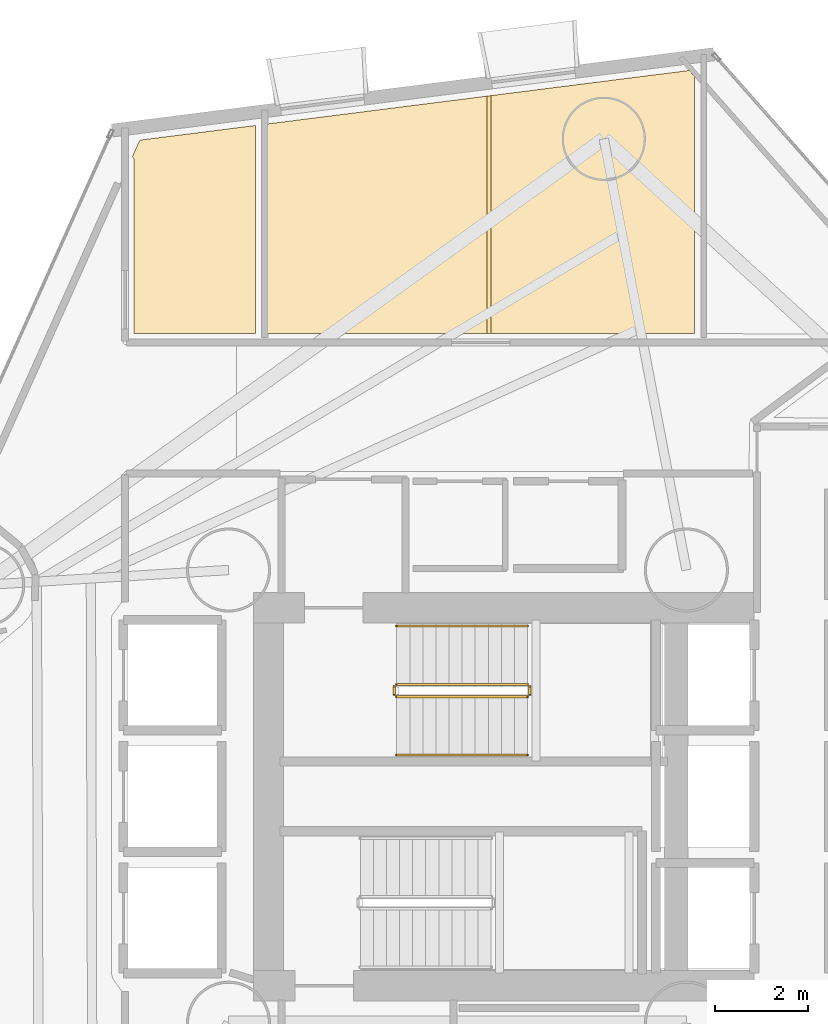
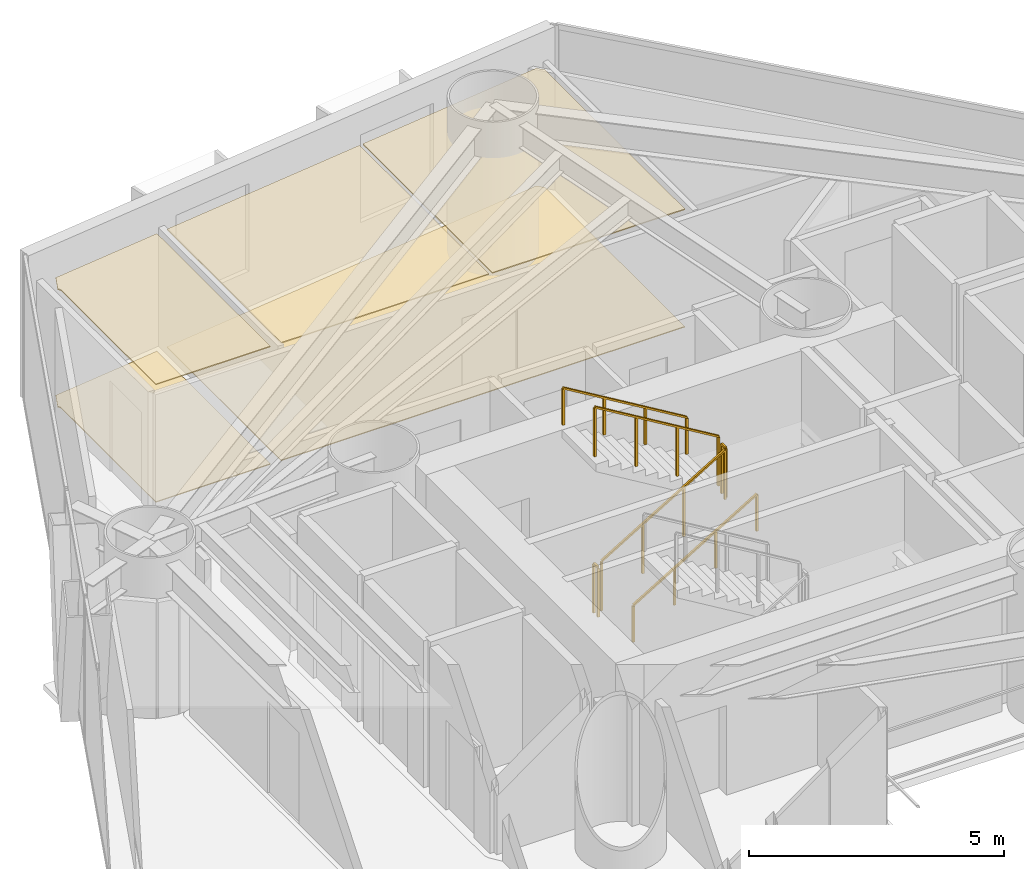
# One storey, part 21 of 22: 6 railings, 5 coverings.
"""IFC4 building model written with IfcOpenShell, lengths in metres."""

from ifc_helpers import new_model, si_unit, direction, frame, origin, origin_2d, place, context, subcontext, project, spatial, polyline, rectangle, outline, extrude, material, layer, layer_set, type_object, element, save


model = new_model("IFC4")

# Units and contexts
model_context = context("Model", 3, precision=1e-05, world=origin(), true_north=direction((0.0, 1.0)))
body_context = subcontext(model_context, "Body", "Model", "MODEL_VIEW")
ifc_project = project(units=[si_unit("LENGTHUNIT", "METRE"), si_unit("AREAUNIT", "SQUARE_METRE"), si_unit("VOLUMEUNIT", "CUBIC_METRE"), si_unit("PLANEANGLEUNIT", "RADIAN"), si_unit("MASSUNIT", "GRAM", prefix="KILO")], contexts=[model_context])

# Site, building, storey
site_placement = place(None, origin())
site = spatial("IfcSite", under=ifc_project, at=site_placement, CompositionType="ELEMENT")
building_placement = place(site_placement, origin())
building = spatial("IfcBuilding", under=site, at=building_placement, Name="Qianvela Tower", CompositionType="ELEMENT")
storey_placement = place(building_placement, frame((0.0, 0.0, 40.5)))
storey = spatial("IfcBuildingStorey", under=building, at=storey_placement, Name="L09", CompositionType="ELEMENT", Elevation=40.5)

# Coverings
ifc_material_1 = material(Name="Perforated Mineral Acoustic Ceiling Tile")
ifc_layer_1 = layer(ifc_material_1, 0.02490234375)
ifc_layer_set_1 = layer_set([ifc_layer_1], Name="Perforated Mineral Acoustic Ceiling Tile")
covering_type_1 = type_object("IfcCoveringType", Name="COV-CEIL-ACOUSTIC-25", PredefinedType="CEILING", material=ifc_layer_set_1)
covering_1_placement = place(storey_placement, frame((0.0, 0.0, 2.81494140625)))
element("IfcCovering", 1, at=covering_1_placement, inside=storey, type_object=covering_type_1, Name="L09 Acoustic Ceiling Bay 1 Student Bookshop Market L09-04", PredefinedType="CEILING", context=body_context, shape_type="SweptSolid", body=[
    extrude(outline(polyline([(34.134033203125, 43.692626953125), (34.134033203125, 38.610107421875), (29.422119140625, 38.610107421875), (29.422119140625, 43.09521484375), (34.134033203125, 43.692626953125)])), origin(), (0.0, 0.0, 1.0), 0.025146484375),
])
covering_2_placement = place(storey_placement, frame((0.0, 0.0, 2.81494140625)))
element("IfcCovering", 2, at=covering_2_placement, inside=storey, type_object=covering_type_1, Name="L09 Acoustic Ceiling Bay 2 Student Bookshop Market L09-04", PredefinedType="CEILING", context=body_context, shape_type="SweptSolid", body=[
    extrude(outline(polyline([(38.461181640625, 44.2412109375), (38.577880859375, 44.109375), (38.577880859375, 38.610107421875), (34.214111328125, 38.610107421875), (34.214111328125, 43.702880859375), (38.461181640625, 44.2412109375)])), origin(), (0.0, 0.0, 1.0), 0.025146484375),
])
covering_3_placement = place(storey_placement, frame((0.0, 0.0, 2.81494140625)))
element("IfcCovering", 3, at=covering_3_placement, inside=storey, type_object=covering_type_1, Name="L09 Acoustic Ceiling Stationery Supply Boutique L09-05", PredefinedType="CEILING", context=body_context, shape_type="SweptSolid", body=[
    extrude(outline(polyline([(26.580078125, 42.319580078125), (26.57958984375, 42.3271484375), (26.57861328125, 42.334716796875), (26.57666015625, 42.342041015625), (26.57421875, 42.349365234375), (26.571044921875, 42.356201171875), (26.567138671875, 42.363037109375), (26.54345703125, 42.3994140625), (26.700927734375, 42.75), (29.177978515625, 43.064208984375), (29.177978515625, 38.610107421875), (26.580078125, 38.610107421875), (26.580078125, 42.319580078125)])), origin(), (0.0, 0.0, 1.0), 0.025146484375),
])
ifc_material_2 = material(Name="Engineered Acoustic Oak Timber Flooring", Category="wood")
ifc_layer_2 = layer(ifc_material_2, 0.02001953125)
ifc_layer_set_2 = layer_set([ifc_layer_2], Name="Engineered Acoustic Oak Timber Flooring")
covering_type_2 = type_object("IfcCoveringType", Name="COV-FLOOR-OAK-20", PredefinedType="FLOORING", material=ifc_layer_set_2)
covering_4_placement = place(storey_placement, origin())
element("IfcCovering", 4, at=covering_4_placement, inside=storey, type_object=covering_type_2, Name="L09 Finish Flooring Student Bookshop Market L09-04", PredefinedType="FLOORING", context=body_context, shape_type="SweptSolid", body=[
    extrude(outline(polyline([(29.422119140625, 43.09521484375), (38.461181640625, 44.2412109375), (38.577880859375, 44.109375), (38.577880859375, 38.610107421875), (29.422119140625, 38.610107421875), (29.422119140625, 43.09521484375)])), origin(), (0.0, 0.0, 1.0), 0.02001953125),
])
covering_5_placement = place(storey_placement, origin())
element("IfcCovering", 5, at=covering_5_placement, inside=storey, type_object=covering_type_2, Name="L09 Finish Flooring Stationery Supply Boutique L09-05", PredefinedType="FLOORING", context=body_context, shape_type="SweptSolid", body=[
    extrude(outline(polyline([(26.580078125, 42.319580078125), (26.57958984375, 42.3271484375), (26.57861328125, 42.334716796875), (26.57666015625, 42.342041015625), (26.57421875, 42.349365234375), (26.571044921875, 42.356201171875), (26.567138671875, 42.363037109375), (26.54345703125, 42.3994140625), (26.700927734375, 42.75), (29.177978515625, 43.064208984375), (29.177978515625, 38.610107421875), (26.580078125, 38.610107421875), (26.580078125, 42.319580078125)])), origin(), (0.0, 0.0, 1.0), 0.02001953125),
])

# Railings
ifc_material_3 = material(Name="Painted Tubular Steel Q355B", Category="steel")
railing_type_1 = type_object("IfcRailingType", Name="RL-STAIR-GUARD-1200", PredefinedType="GUARDRAIL", material=ifc_material_3)
railing_1_placement = place(storey_placement, frame((32.199951171875, 30.840087890625, 0.168212890625)))
element("IfcRailing", 6, at=railing_1_placement, inside=storey, type_object=railing_type_1, Name="L09 ST-1 stair guard 1", PredefinedType="GUARDRAIL", context=body_context, shape_type="SweptSolid", body=[
    extrude(rectangle(XDim=0.050048828125, YDim=0.0400390625, at=origin_2d()), frame((0.0, 0.0, 1.179931640625), z_axis=(0.857242210791, 0.0, 0.514913383045), x_axis=(0.0, 1.0, 0.0)), (0.0, 0.0, 1.0), 3.266357421875),
    extrude(rectangle(XDim=0.050048828125, YDim=0.050048828125, at=origin_2d()), origin(), (0.0, 0.0, 1.0), 1.159912109375),
    extrude(rectangle(XDim=0.050048828125, YDim=0.050048828125, at=origin_2d()), frame((0.933349609375, 0.0, 0.560546875)), (0.0, 0.0, 1.0), 1.159912109375),
    extrude(rectangle(XDim=0.050048828125, YDim=0.050048828125, at=origin_2d()), frame((1.86669921875, 0.0, 1.121337890625)), (0.0, 0.0, 1.0), 1.159912109375),
    extrude(rectangle(XDim=0.050048828125, YDim=0.050048828125, at=origin_2d()), frame((2.800048828125, 0.0, 1.681884765625)), (0.0, 0.0, 1.0), 1.159912109375),
])
railing_2_placement = place(storey_placement, frame((35.050048828125, 30.889892578125, 1.85009765625)))
element("IfcRailing", 7, at=railing_2_placement, inside=storey, type_object=railing_type_1, Name="L09 ST-1 stair guard 2", PredefinedType="GUARDRAIL", context=body_context, shape_type="SweptSolid", body=[
    extrude(rectangle(XDim=0.050048828125, YDim=0.0400390625, at=origin_2d()), frame((0.0, 0.0, 1.179931640625), z_axis=(0.0, 1.0, 0.0), x_axis=(-1.0, 0.0, 0.0)), (0.0, 0.0, 1.0), 0.16015625),
    extrude(rectangle(XDim=0.050048828125, YDim=0.050048828125, at=origin_2d()), origin(), (0.0, 0.0, 1.0), 1.159912109375),
    extrude(rectangle(XDim=0.050048828125, YDim=0.050048828125, at=origin_2d()), frame((0.0, 0.16015625, 0.0)), (0.0, 0.0, 1.0), 1.159912109375),
])
railing_3_placement = place(storey_placement, frame((35.0, 31.10009765625, 2.01806640625)))
element("IfcRailing", 8, at=railing_3_placement, inside=storey, type_object=railing_type_1, Name="L09 ST-1 stair guard 3", PredefinedType="GUARDRAIL", context=body_context, shape_type="SweptSolid", body=[
    extrude(rectangle(XDim=0.050048828125, YDim=0.0400390625, at=origin_2d()), frame((0.0, 0.0, 1.179931640625), z_axis=(-0.857242210791, 0.0, 0.514913383045), x_axis=(0.0, -1.0, 0.0)), (0.0, 0.0, 1.0), 3.266357421875),
    extrude(rectangle(XDim=0.050048828125, YDim=0.050048828125, at=origin_2d()), origin(), (0.0, 0.0, 1.0), 1.159912109375),
    extrude(rectangle(XDim=0.050048828125, YDim=0.050048828125, at=origin_2d()), frame((-0.933349609375, 0.0, 0.560546875)), (0.0, 0.0, 1.0), 1.159912109375),
    extrude(rectangle(XDim=0.050048828125, YDim=0.050048828125, at=origin_2d()), frame((-1.86669921875, 0.0, 1.121337890625)), (0.0, 0.0, 1.0), 1.159912109375),
    extrude(rectangle(XDim=0.050048828125, YDim=0.050048828125, at=origin_2d()), frame((-2.800048828125, 0.0, 1.681884765625)), (0.0, 0.0, 1.0), 1.159912109375),
])
railing_4_placement = place(storey_placement, frame((32.14990234375, 30.889892578125, 0.0)))
element("IfcRailing", 9, at=railing_4_placement, inside=storey, type_object=railing_type_1, Name="L09 ST-1 stair guard 4", PredefinedType="GUARDRAIL", context=body_context, shape_type="SweptSolid", body=[
    extrude(rectangle(XDim=0.050048828125, YDim=0.0400390625, at=origin_2d()), frame((0.0, 0.0, 1.179931640625), z_axis=(0.0, 1.0, 0.0), x_axis=(-1.0, 0.0, 0.0)), (0.0, 0.0, 1.0), 0.16015625),
    extrude(rectangle(XDim=0.050048828125, YDim=0.050048828125, at=origin_2d()), origin(), (0.0, 0.0, 1.0), 1.159912109375),
    extrude(rectangle(XDim=0.050048828125, YDim=0.050048828125, at=origin_2d()), frame((0.0, 0.16015625, 0.0)), (0.0, 0.0, 1.0), 1.159912109375),
])
ifc_material_4 = material(Name="Brushed Stainless Steel 304", Category="steel")
railing_type_2 = type_object("IfcRailingType", Name="RL-STAIR-HANDRAIL-900", PredefinedType="HANDRAIL", material=ifc_material_4)
railing_5_placement = place(storey_placement, frame((32.199951171875, 29.590087890625, 0.168212890625)))
element("IfcRailing", 10, at=railing_5_placement, inside=storey, type_object=railing_type_2, Name="L09 ST-1 stair handrail 1", PredefinedType="HANDRAIL", context=body_context, shape_type="SweptSolid", body=[
    extrude(rectangle(XDim=0.050048828125, YDim=0.0400390625, at=origin_2d()), frame((0.0, 0.0, 0.8798828125), z_axis=(0.857242210791, 0.0, 0.514913383045), x_axis=(0.0, 1.0, 0.0)), (0.0, 0.0, 1.0), 3.266357421875),
    extrude(rectangle(XDim=0.050048828125, YDim=0.050048828125, at=origin_2d()), origin(), (0.0, 0.0, 1.0), 0.85986328125),
    extrude(rectangle(XDim=0.050048828125, YDim=0.050048828125, at=origin_2d()), frame((0.933349609375, 0.0, 0.560546875)), (0.0, 0.0, 1.0), 0.85986328125),
    extrude(rectangle(XDim=0.050048828125, YDim=0.050048828125, at=origin_2d()), frame((1.86669921875, 0.0, 1.121337890625)), (0.0, 0.0, 1.0), 0.85986328125),
    extrude(rectangle(XDim=0.050048828125, YDim=0.050048828125, at=origin_2d()), frame((2.800048828125, 0.0, 1.681884765625)), (0.0, 0.0, 1.0), 0.85986328125),
])
railing_6_placement = place(storey_placement, frame((35.0, 32.35009765625, 2.01806640625)))
element("IfcRailing", 11, at=railing_6_placement, inside=storey, type_object=railing_type_2, Name="L09 ST-1 stair handrail 2", PredefinedType="HANDRAIL", context=body_context, shape_type="SweptSolid", body=[
    extrude(rectangle(XDim=0.050048828125, YDim=0.0400390625, at=origin_2d()), frame((0.0, 0.0, 0.8798828125), z_axis=(-0.857242210791, 0.0, 0.514913383045), x_axis=(0.0, -1.0, 0.0)), (0.0, 0.0, 1.0), 3.266357421875),
    extrude(rectangle(XDim=0.050048828125, YDim=0.050048828125, at=origin_2d()), origin(), (0.0, 0.0, 1.0), 0.85986328125),
    extrude(rectangle(XDim=0.050048828125, YDim=0.050048828125, at=origin_2d()), frame((-0.933349609375, 0.0, 0.560546875)), (0.0, 0.0, 1.0), 0.85986328125),
    extrude(rectangle(XDim=0.050048828125, YDim=0.050048828125, at=origin_2d()), frame((-1.86669921875, 0.0, 1.121337890625)), (0.0, 0.0, 1.0), 0.85986328125),
    extrude(rectangle(XDim=0.050048828125, YDim=0.050048828125, at=origin_2d()), frame((-2.800048828125, 0.0, 1.681884765625)), (0.0, 0.0, 1.0), 0.85986328125),
])

save(model, "model.ifc")
